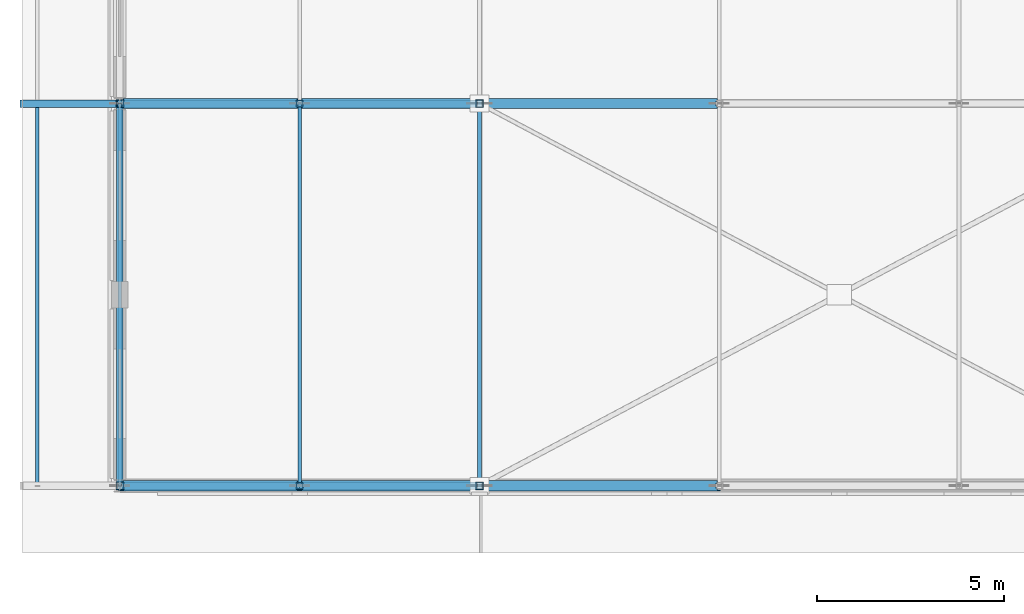
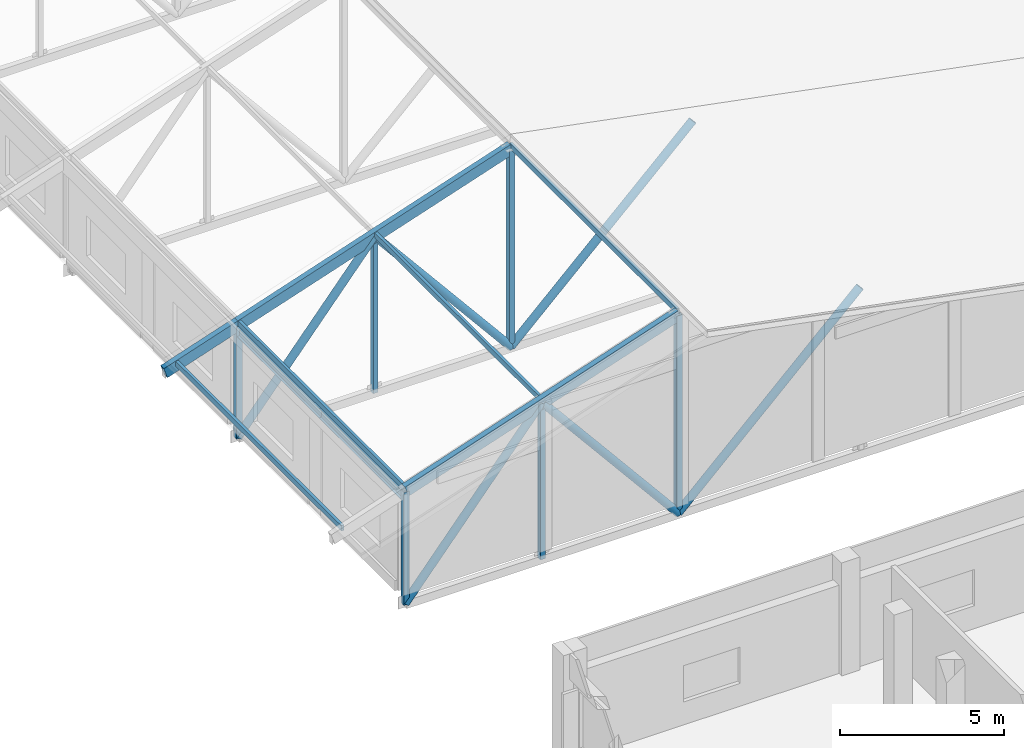
# One storey, part 20 of 200: 19 members, 2 beams.
"""IFC4 building model written with IfcOpenShell, lengths in metres."""

from ifc_helpers import new_model, si_unit, direction, frame, origin, origin_2d, place, context, subcontext, project, spatial, hollow_rectangle, hollow_circle, i_section, extrude, material, material_profile, profile_set, type_object, element, save


model = new_model("IFC4")

# Units and contexts
model_context = context("Model", 3, precision=1e-05, world=origin(), true_north=direction((0.0, 1.0)))
body_context = subcontext(model_context, "Body", "Model", "MODEL_VIEW")
ifc_project = project(units=[si_unit("LENGTHUNIT", "METRE"), si_unit("AREAUNIT", "SQUARE_METRE"), si_unit("VOLUMEUNIT", "CUBIC_METRE"), si_unit("PLANEANGLEUNIT", "RADIAN"), si_unit("MASSUNIT", "GRAM", prefix="KILO")], contexts=[model_context])

# Site, building, storey
site_placement = place(None, origin())
site = spatial("IfcSite", under=ifc_project, at=site_placement, CompositionType="ELEMENT")
building_placement = place(site_placement, origin())
building = spatial("IfcBuilding", under=site, at=building_placement, Name="Vondelvale Polytechnic", CompositionType="ELEMENT")
storey_placement = place(building_placement, frame((0.0, 0.0, 13.800048828125)))
storey = spatial("IfcBuildingStorey", under=building, at=storey_placement, Name="L03", CompositionType="ELEMENT", Elevation=13.800048828125)

# Beams
ifc_material_1 = material(Name="Steel 300PLUS (fy = 300 MPa)", Category="steel")
ifc_material_profile_1 = material_profile(ifc_material_1, i_section(OverallWidth=0.172119140625, OverallDepth=0.35888671875, WebThickness=0.008056640625, FlangeThickness=0.012939453125, FilletRadius=0.011474609375, at=origin_2d()), Name="360UB56.7")
ifc_profile_set_1 = profile_set([ifc_material_profile_1], Name="Steel 300PLUS (fy = 300 MPa)")
beam_type = type_object("IfcBeamType", Name="BM-UB360H", PredefinedType="BEAM", material=ifc_profile_set_1)
beam_1_placement = place(storey_placement, frame((0.0, 51.0, 3.570556640625), z_axis=(0.0, 1.0, 0.0), x_axis=(-1.0, 0.0, 0.0)))
element("IfcBeam", 1, at=beam_1_placement, inside=storey, type_object=beam_type, Name="L03 WE B-15", PredefinedType="BEAM", context=body_context, shape_type="SweptSolid", body=[
    extrude(i_section(OverallWidth=0.172119140625, OverallDepth=0.35888671875, WebThickness=0.008056640625, FlangeThickness=0.012939453125, FilletRadius=0.011474609375, at=origin_2d()), origin(), (0.0, 0.0, 1.0), 5.10009765625),
])
beam_2_placement = place(storey_placement, frame((0.0, 56.10009765625, 3.570556640625), z_axis=(0.0, 1.0, 0.0), x_axis=(-1.0, 0.0, 0.0)))
element("IfcBeam", 2, at=beam_2_placement, inside=storey, type_object=beam_type, Name="L03 WE B-15", PredefinedType="BEAM", context=body_context, shape_type="SweptSolid", body=[
    extrude(i_section(OverallWidth=0.172119140625, OverallDepth=0.35888671875, WebThickness=0.008056640625, FlangeThickness=0.012939453125, FilletRadius=0.011474609375, at=origin_2d()), origin(), (0.0, 0.0, 1.0), 5.099853515625),
])

# Members
ifc_material_2 = material(Name="Steel C350L0 (fy = 350 MPa)", Category="steel")
ifc_material_profile_2 = material_profile(ifc_material_2, hollow_rectangle(XDim=0.10009765625, YDim=0.199951171875, WallThickness=0.006103515625, at=origin_2d()), Name="200x100x6.0RHS")
ifc_profile_set_2 = profile_set([ifc_material_profile_2], Name="Steel C350L0 (fy = 350 MPa)")
member_type_1 = type_object("IfcMemberType", Name="PURLIN RHS200", PredefinedType="PURLIN", material=ifc_profile_set_2)
for number, where, z_axis, x_axis, name in (
    (3, (-2.199951171875, 51.0, 3.140869140625), (0.0, 1.0, 0.0), (-1.0, 0.0, 0.0), "Workshop roof purlin bay 1"),
    (4, (0.0, 51.0, 3.874267578125), (0.0, 1.0, 0.0), (-1.0, 0.0, 0.0), "Workshop roof purlin bay 1"),
    (5, (4.800048828125, 51.0, 5.47412109375), (0.0, 1.0, 0.0), (-1.0, 0.0, 0.0), "Workshop roof purlin bay 1"),
    (6, (9.60009765625, 51.0, 7.07421875), (0.0, 1.0, 0.0), (-1.0, 0.0, 0.0), "Workshop roof purlin bay 1"),
):
    element("IfcMember", number, at=place(storey_placement, frame(where, z_axis=z_axis, x_axis=x_axis)), inside=storey, type_object=member_type_1, Name=name, PredefinedType="PURLIN", context=body_context, shape_type="SweptSolid", body=[
        extrude(hollow_rectangle(XDim=0.10009765625, YDim=0.199951171875, WallThickness=0.006103515625, at=origin_2d()), origin(), (0.0, 0.0, 1.0), 10.199951171875),
    ])
ifc_material_profile_3 = material_profile(ifc_material_2, hollow_circle(Radius=0.136474609375, WallThickness=0.00927734375, at=origin_2d()), Name="273.1x9.3CHS")
ifc_profile_set_3 = profile_set([ifc_material_profile_3], Name="Steel C350L0 (fy = 350 MPa)")
member_type_2 = type_object("IfcMemberType", Name="ROOF TRUSS BRACE 273CHS", PredefinedType="BRACE", material=ifc_profile_set_3)
for number, where, z_axis, x_axis, name in (
    (7, (0.0, 51.0, -0.420166015625), (0.6375683777, 0.0, 0.770393771884), (0.0, 1.0, 0.0), "ROOF TRUSS TR-01 web diagonal 1"),
    (8, (4.800048828125, 51.0, 5.3798828125), (0.6375683777, 0.0, -0.770393771884), (0.0, 1.0, 0.0), "ROOF TRUSS TR-01 web diagonal 2"),
):
    element("IfcMember", number, at=place(storey_placement, frame(where, z_axis=z_axis, x_axis=x_axis)), inside=storey, type_object=member_type_2, Name=name, PredefinedType="BRACE", context=body_context, shape_type="SweptSolid", body=[
        extrude(hollow_circle(Radius=0.136474609375, WallThickness=0.00927734375, at=origin_2d()), origin(), (0.0, 0.0, 1.0), 7.528564453125),
    ])
member_1_placement = place(storey_placement, frame((9.60009765625, 51.0, -0.420166015625), z_axis=(0.720102098263, 0.0, 0.69386812009), x_axis=(0.0, 1.0, 0.0)))
element("IfcMember", 9, at=member_1_placement, inside=storey, type_object=member_type_2, Name="ROOF TRUSS TR-01 web diagonal 3", PredefinedType="BRACE", context=body_context, shape_type="SweptSolid", body=[
    extrude(hollow_circle(Radius=0.136474609375, WallThickness=0.00927734375, at=origin_2d()), origin(), (0.0, 0.0, 1.0), 8.887451171875),
])
for number, where, z_axis, x_axis, name in (
    (10, (0.0, 61.199951171875, -0.420166015625), (0.6375683777, 0.0, 0.770393771884), (0.0, 1.0, 0.0), "ROOF TRUSS TR-02 web diagonal 1"),
    (11, (4.800048828125, 61.199951171875, 5.3798828125), (0.6375683777, 0.0, -0.770393771884), (0.0, 1.0, 0.0), "ROOF TRUSS TR-02 web diagonal 2"),
):
    element("IfcMember", number, at=place(storey_placement, frame(where, z_axis=z_axis, x_axis=x_axis)), inside=storey, type_object=member_type_2, Name=name, PredefinedType="BRACE", context=body_context, shape_type="SweptSolid", body=[
        extrude(hollow_circle(Radius=0.136474609375, WallThickness=0.00927734375, at=origin_2d()), origin(), (0.0, 0.0, 1.0), 7.528564453125),
    ])
member_2_placement = place(storey_placement, frame((9.60009765625, 61.199951171875, -0.420166015625), z_axis=(0.720102098263, 0.0, 0.69386812009), x_axis=(0.0, 1.0, 0.0)))
element("IfcMember", 12, at=member_2_placement, inside=storey, type_object=member_type_2, Name="ROOF TRUSS TR-02 web diagonal 3", PredefinedType="BRACE", context=body_context, shape_type="SweptSolid", body=[
    extrude(hollow_circle(Radius=0.136474609375, WallThickness=0.00927734375, at=origin_2d()), origin(), (0.0, 0.0, 1.0), 8.887451171875),
])
ifc_material_profile_4 = material_profile(ifc_material_2, hollow_rectangle(XDim=0.175048828125, YDim=0.175048828125, WallThickness=0.006103515625, at=origin_2d()), Name="175x175x6.0SHS")
ifc_profile_set_4 = profile_set([ifc_material_profile_4], Name="Steel C350L0 (fy = 350 MPa)")
member_type_3 = type_object("IfcMemberType", Name="ROOF TRUSS POST 175SHS", PredefinedType="POST", material=ifc_profile_set_4)
for number, where, z_axis, x_axis, name in (
    (13, (4.800048828125, 51.0, -0.420166015625), (0.0, 0.0, 1.0), (1.0, 0.0, 0.0), "ROOF TRUSS TR-01 vertical post 1"),
    (14, (4.800048828125, 61.199951171875, -0.420166015625), (0.0, 0.0, 1.0), (1.0, 0.0, 0.0), "ROOF TRUSS TR-02 vertical post 1"),
):
    element("IfcMember", number, at=place(storey_placement, frame(where, z_axis=z_axis, x_axis=x_axis)), inside=storey, type_object=member_type_3, Name=name, PredefinedType="POST", context=body_context, shape_type="SweptSolid", body=[
        extrude(hollow_rectangle(XDim=0.175048828125, YDim=0.175048828125, WallThickness=0.006103515625, at=origin_2d()), origin(), (0.0, 0.0, 1.0), 5.800048828125),
    ])
ifc_material_profile_5 = material_profile(ifc_material_2, hollow_rectangle(XDim=0.199951171875, YDim=0.199951171875, WallThickness=0.009033203125, at=origin_2d()), Name="200x200x9.0SHS")
ifc_profile_set_5 = profile_set([ifc_material_profile_5], Name="Steel C350L0 (fy = 350 MPa)")
member_type_4 = type_object("IfcMemberType", Name="ROOF TRUSS POST 200SHS", PredefinedType="POST", material=ifc_profile_set_5)
member_3_placement = place(storey_placement, frame((0.0, 51.0, -0.420166015625), z_axis=(0.0, 0.0, 1.0), x_axis=(1.0, 0.0, 0.0)))
element("IfcMember", 15, at=member_3_placement, inside=storey, type_object=member_type_4, Name="ROOF TRUSS TR-01 vertical post 0", PredefinedType="POST", context=body_context, shape_type="SweptSolid", body=[
    extrude(hollow_rectangle(XDim=0.199951171875, YDim=0.199951171875, WallThickness=0.009033203125, at=origin_2d()), origin(), (0.0, 0.0, 1.0), 4.2001953125),
])
member_4_placement = place(storey_placement, frame((9.60009765625, 51.0, -0.420166015625), z_axis=(0.0, 0.0, 1.0), x_axis=(1.0, 0.0, 0.0)))
element("IfcMember", 16, at=member_4_placement, inside=storey, type_object=member_type_4, Name="ROOF TRUSS TR-01 vertical post 2", PredefinedType="POST", context=body_context, shape_type="SweptSolid", body=[
    extrude(hollow_rectangle(XDim=0.199951171875, YDim=0.199951171875, WallThickness=0.009033203125, at=origin_2d()), origin(), (0.0, 0.0, 1.0), 7.400146484375),
])
member_5_placement = place(storey_placement, frame((0.0, 61.199951171875, -0.420166015625), z_axis=(0.0, 0.0, 1.0), x_axis=(1.0, 0.0, 0.0)))
element("IfcMember", 17, at=member_5_placement, inside=storey, type_object=member_type_4, Name="ROOF TRUSS TR-02 vertical post 0", PredefinedType="POST", context=body_context, shape_type="SweptSolid", body=[
    extrude(hollow_rectangle(XDim=0.199951171875, YDim=0.199951171875, WallThickness=0.009033203125, at=origin_2d()), origin(), (0.0, 0.0, 1.0), 4.2001953125),
])
member_6_placement = place(storey_placement, frame((9.60009765625, 61.199951171875, -0.420166015625), z_axis=(0.0, 0.0, 1.0), x_axis=(1.0, 0.0, 0.0)))
element("IfcMember", 18, at=member_6_placement, inside=storey, type_object=member_type_4, Name="ROOF TRUSS TR-02 vertical post 2", PredefinedType="POST", context=body_context, shape_type="SweptSolid", body=[
    extrude(hollow_rectangle(XDim=0.199951171875, YDim=0.199951171875, WallThickness=0.009033203125, at=origin_2d()), origin(), (0.0, 0.0, 1.0), 7.400146484375),
])
ifc_material_profile_6 = material_profile(ifc_material_2, hollow_rectangle(XDim=0.199951171875, YDim=0.39990234375, WallThickness=0.010009765625, at=origin_2d()), Name="400x200x10.0RHS")
ifc_profile_set_6 = profile_set([ifc_material_profile_6], Name="Steel C350L0 (fy = 350 MPa)")
member_type_5 = type_object("IfcMemberType", Name="ROOF TRUSS TOP CHORD 400RHS", PredefinedType="CHORD", material=ifc_profile_set_6)
member_7_placement = place(storey_placement, frame((0.0, 51.0, 3.780029296875), z_axis=(0.948685710631, 0.0, 0.316220528184), x_axis=(0.0, 1.0, 0.0)))
element("IfcMember", 19, at=member_7_placement, inside=storey, type_object=member_type_5, Name="ROOF TRUSS TR-01 top chord 2", PredefinedType="CHORD", context=body_context, shape_type="SweptSolid", body=[
    extrude(hollow_rectangle(XDim=0.199951171875, YDim=0.39990234375, WallThickness=0.010009765625, at=origin_2d()), origin(), (0.0, 0.0, 1.0), 10.119384765625),
])
member_8_placement = place(storey_placement, frame((-2.60009765625, 61.199951171875, 2.913330078125), z_axis=(0.948683298051, 0.0, 0.316227766017), x_axis=(0.0, 1.0, 0.0)))
element("IfcMember", 20, at=member_8_placement, inside=storey, type_object=member_type_5, Name="ROOF TRUSS TR-02 top chord 1", PredefinedType="CHORD", context=body_context, shape_type="SweptSolid", body=[
    extrude(hollow_rectangle(XDim=0.199951171875, YDim=0.39990234375, WallThickness=0.010009765625, at=origin_2d()), origin(), (0.0, 0.0, 1.0), 2.74072265625),
])
member_9_placement = place(storey_placement, frame((0.0, 61.199951171875, 3.780029296875), z_axis=(0.948685710631, 0.0, 0.316220528184), x_axis=(0.0, 1.0, 0.0)))
element("IfcMember", 21, at=member_9_placement, inside=storey, type_object=member_type_5, Name="ROOF TRUSS TR-02 top chord 2", PredefinedType="CHORD", context=body_context, shape_type="SweptSolid", body=[
    extrude(hollow_rectangle(XDim=0.199951171875, YDim=0.39990234375, WallThickness=0.010009765625, at=origin_2d()), origin(), (0.0, 0.0, 1.0), 10.119384765625),
])

save(model, "model.ifc")
